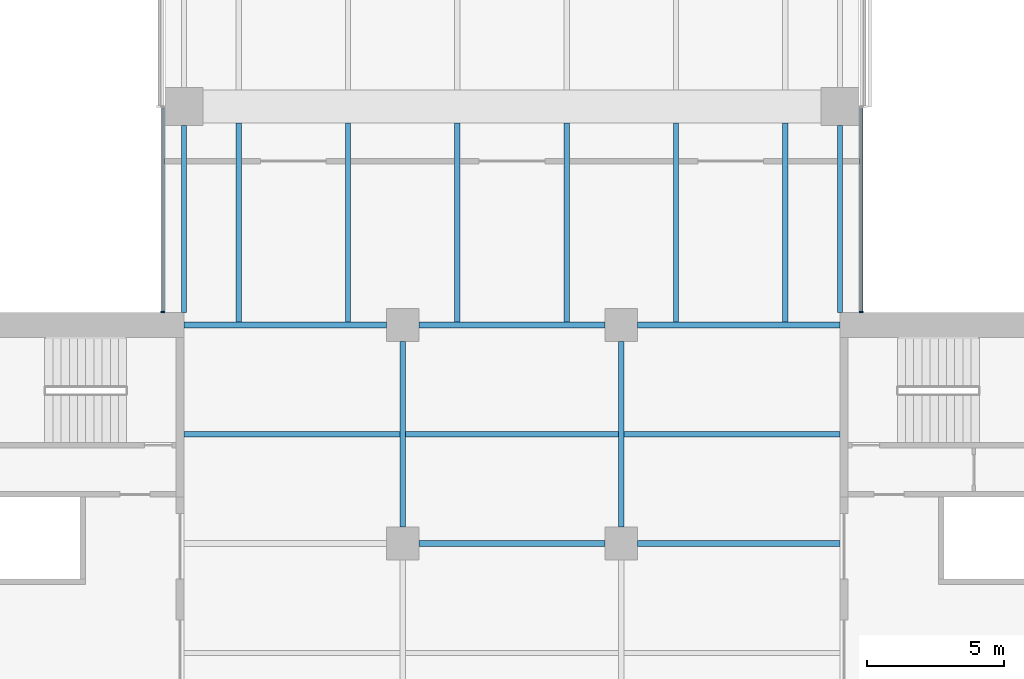
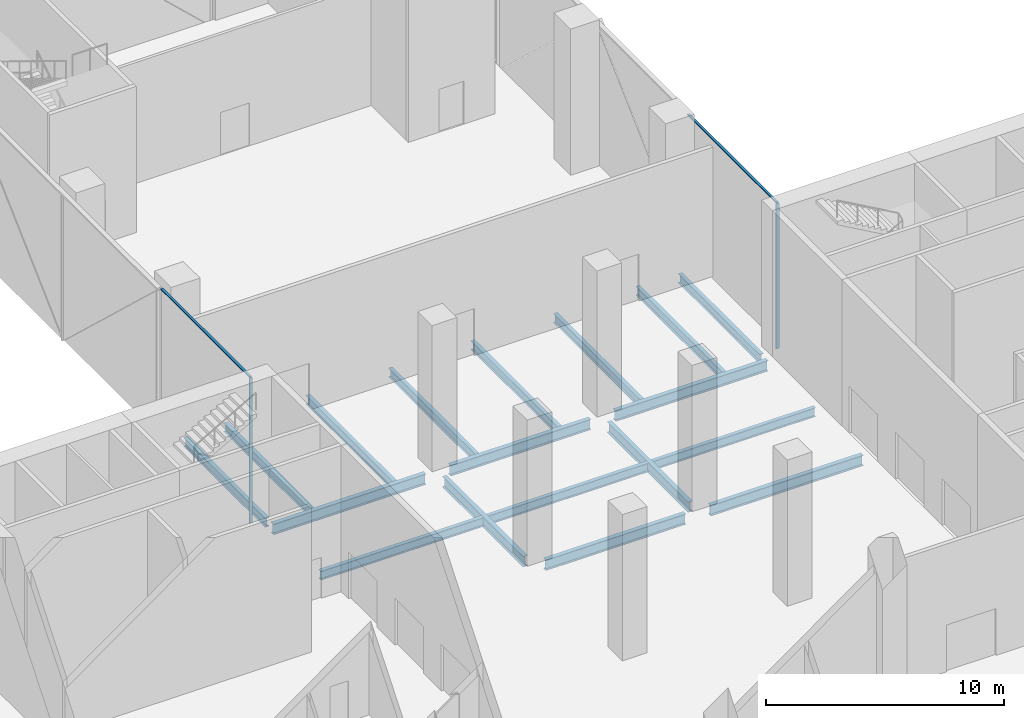
# One storey, part 6 of 25: 18 beams, 4 members, 2 elements without a shape of their own.
"""IFC4 building model written with IfcOpenShell, lengths in metres."""

from ifc_helpers import new_model, si_unit, direction, frame, origin, origin_2d, place, context, subcontext, project, spatial, rectangle, i_section, extrude, material, material_profile, profile_set, type_object, element, aggregate, save


model = new_model("IFC4")

# Units and contexts
model_context = context("Model", 3, precision=1e-05, world=origin(), true_north=direction((0.0, 1.0)))
body_context = subcontext(model_context, "Body", "Model", "MODEL_VIEW")
ifc_project = project(units=[si_unit("LENGTHUNIT", "METRE"), si_unit("AREAUNIT", "SQUARE_METRE"), si_unit("VOLUMEUNIT", "CUBIC_METRE"), si_unit("PLANEANGLEUNIT", "RADIAN"), si_unit("MASSUNIT", "GRAM", prefix="KILO")], contexts=[model_context])

# Site, building, storey
site_placement = place(None, origin())
site = spatial("IfcSite", under=ifc_project, at=site_placement, CompositionType="ELEMENT")
building_placement = place(site_placement, origin())
building = spatial("IfcBuilding", under=site, at=building_placement, Name="Crosswind Convention Tower", CompositionType="ELEMENT")
storey_placement = place(building_placement, frame((0.0, 0.0, 34.0)))
storey = spatial("IfcBuildingStorey", under=building, at=storey_placement, Name="L04", CompositionType="ELEMENT", Elevation=34.0)

# Beams
ifc_material_1 = material(Name="Steel S355", Category="steel")
ifc_material_profile_1 = material_profile(ifc_material_1, i_section(OverallWidth=0.19287109375, OverallDepth=0.467529296875, WebThickness=0.011474609375, FlangeThickness=0.01953125, FilletRadius=0.01025390625, at=origin_2d()), Name="UB 457x191x98")
ifc_profile_set_1 = profile_set([ifc_material_profile_1], Name="Steel S355")
beam_type_1 = type_object("IfcBeamType", Name="Edge beam UB 457x191x98", PredefinedType="SPANDREL", material=ifc_profile_set_1)
for number, where, z_axis, x_axis, name in (
    (1, (113.0, 112.449951171875, -0.6337890625), (0.0, 1.0, 0.0), (-1.0, 0.0, 0.0), "B20 L04 edge beam 9"),
    (2, (137.0, 112.449951171875, -0.6337890625), (0.0, 1.0, 0.0), (-1.0, 0.0, 0.0), "B20 L04 edge beam 17"),
):
    element("IfcBeam", number, at=place(storey_placement, frame(where, z_axis=z_axis, x_axis=x_axis)), inside=storey, type_object=beam_type_1, Name=name, PredefinedType="SPANDREL", context=body_context, shape_type="SweptSolid", body=[
        extrude(i_section(OverallWidth=0.19287109375, OverallDepth=0.467529296875, WebThickness=0.011474609375, FlangeThickness=0.01953125, FilletRadius=0.01025390625, at=origin_2d()), origin(), (0.0, 0.0, 1.0), 6.85009765625),
    ])
ifc_material_profile_2 = material_profile(ifc_material_1, i_section(OverallWidth=0.2119140625, OverallDepth=0.544677734375, WebThickness=0.0126953125, FlangeThickness=0.021240234375, FilletRadius=0.0126953125, at=origin_2d()), Name="UB 533x210x122")
ifc_profile_set_2 = profile_set([ifc_material_profile_2], Name="Steel S355")
beam_type_2 = type_object("IfcBeamType", Name="Girder UB 533x210x122", PredefinedType="BEAM", material=ifc_profile_set_2)
for number, where, z_axis, x_axis, name in (
    (3, (121.0, 104.60009765625, -0.67236328125), (0.0, 1.0, 0.0), (-1.0, 0.0, 0.0), "B6 L04 girder 3"),
    (4, (121.60009765625, 104.0, -0.67236328125), (1.0, 0.0, 0.0), (0.0, 1.0, 0.0), "B6 L04 girder 6"),
    (5, (121.60009765625, 112.0, -0.67236328125), (1.0, 0.0, 0.0), (0.0, 1.0, 0.0), "B6 L04 girder 7"),
    (6, (129.0, 104.60009765625, -0.67236328125), (0.0, 1.0, 0.0), (-1.0, 0.0, 0.0), "B6 L04 girder 10"),
):
    element("IfcBeam", number, at=place(storey_placement, frame(where, z_axis=z_axis, x_axis=x_axis)), inside=storey, type_object=beam_type_2, Name=name, PredefinedType="BEAM", context=body_context, shape_type="SweptSolid", body=[
        extrude(i_section(OverallWidth=0.2119140625, OverallDepth=0.544677734375, WebThickness=0.0126953125, FlangeThickness=0.021240234375, FilletRadius=0.0126953125, at=origin_2d()), origin(), (0.0, 0.0, 1.0), 6.7998046875),
    ])
ifc_material_profile_3 = material_profile(ifc_material_1, i_section(OverallWidth=0.214111328125, OverallDepth=0.549072265625, WebThickness=0.0146484375, FlangeThickness=0.023681640625, FilletRadius=0.0126953125, at=origin_2d()), Name="UB 533x210x138")
ifc_profile_set_3 = profile_set([ifc_material_profile_3], Name="Steel S355")
beam_type_3 = type_object("IfcBeamType", Name="Girder at core wall UB 533x210x138", PredefinedType="BEAM", material=ifc_profile_set_3)
for number, where, z_axis, x_axis, name in (
    (7, (113.0, 112.0, -0.674560546875), (1.0, 0.0, 0.0), (0.0, 1.0, 0.0), "B27 L04 girder at core wall 4"),
    (8, (129.60009765625, 104.0, -0.674560546875), (1.0, 0.0, 0.0), (0.0, 1.0, 0.0), "B27 L04 girder at core wall 7"),
    (9, (129.60009765625, 112.0, -0.674560546875), (1.0, 0.0, 0.0), (0.0, 1.0, 0.0), "B27 L04 girder at core wall 8"),
):
    element("IfcBeam", number, at=place(storey_placement, frame(where, z_axis=z_axis, x_axis=x_axis)), inside=storey, type_object=beam_type_3, Name=name, PredefinedType="BEAM", context=body_context, shape_type="SweptSolid", body=[
        extrude(i_section(OverallWidth=0.214111328125, OverallDepth=0.549072265625, WebThickness=0.0146484375, FlangeThickness=0.023681640625, FilletRadius=0.0126953125, at=origin_2d()), origin(), (0.0, 0.0, 1.0), 7.39990234375),
    ])

# Curtain wall, member
ifc_material_2 = material(Name="Aluminium unitised curtain wall", Category="aluminium")
curtain_wall_type = type_object("IfcCurtainWallType", Name="CORE END SLOT WALL 160", PredefinedType="USERDEFINED", material=ifc_material_2)
curtain_wall_1_placement = place(storey_placement, origin())
curtain_wall_1 = element("IfcCurtainWall", 10, at=curtain_wall_1_placement, inside=storey, type_object=curtain_wall_type, Name="CW6 L04 N-E.1-1 slot", ObjectType="UNITISED", PredefinedType="USERDEFINED")
ifc_material_3 = material(Name="Aluminium mullion", Category="aluminium")
ifc_material_profile_4 = material_profile(ifc_material_3, rectangle(XDim=0.159912109375, YDim=0.050048828125, at=origin_2d()), Name="AL 160X50")
ifc_profile_set_4 = profile_set([ifc_material_profile_4], Name="Aluminium mullion")
member_type_1 = type_object("IfcMemberType", Name="MULLION 50X160", PredefinedType="MULLION", material=ifc_profile_set_4)
member_1_placement = place(storey_placement, frame((137.780029296875, 112.47509765625, -0.39990234375), z_axis=(0.0, 0.0, 1.0), x_axis=(1.0, 0.0, 0.0)))
member_1 = element("IfcMember", 11, at=member_1_placement, type_object=member_type_1, Name="CW6 mullion 1", PredefinedType="MULLION", context=body_context, shape_type="SweptSolid", body=[
    extrude(rectangle(XDim=0.159912109375, YDim=0.050048828125, at=origin_2d()), origin(), (0.0, 0.0, 1.0), 7.449951171875),
])

curtain_wall_2_placement = place(storey_placement, origin())
curtain_wall_2 = element("IfcCurtainWall", 12, at=curtain_wall_2_placement, inside=storey, type_object=curtain_wall_type, Name="CW6 L04 N-W.1-4 slot", ObjectType="UNITISED", PredefinedType="USERDEFINED")
member_2_placement = place(storey_placement, frame((112.219970703125, 112.47509765625, -0.39990234375), z_axis=(0.0, 0.0, 1.0), x_axis=(-1.0, 0.0, 0.0)))
member_2 = element("IfcMember", 13, at=member_2_placement, type_object=member_type_1, Name="CW6 mullion 2", PredefinedType="MULLION", context=body_context, shape_type="SweptSolid", body=[
    extrude(rectangle(XDim=0.159912109375, YDim=0.050048828125, at=origin_2d()), origin(), (0.0, 0.0, 1.0), 7.449951171875),
])

# Beams
ifc_material_profile_5 = material_profile(ifc_material_1, i_section(OverallWidth=0.19140625, OverallDepth=0.460205078125, WebThickness=0.010009765625, FlangeThickness=0.01611328125, FilletRadius=0.01025390625, at=origin_2d()), Name="UB 457x191x82")
ifc_profile_set_5 = profile_set([ifc_material_profile_5], Name="Steel S355")
beam_type_4 = type_object("IfcBeamType", Name="Secondary beam UB 457x191x82", PredefinedType="JOIST", material=ifc_profile_set_5)
beam_1_placement = place(storey_placement, frame((113.0, 108.0, -0.630126953125), z_axis=(1.0, 0.0, 0.0), x_axis=(0.0, 1.0, 0.0)))
element("IfcBeam", 14, at=beam_1_placement, inside=storey, type_object=beam_type_4, Name="B13 L04 secondary beam 13", PredefinedType="JOIST", context=body_context, shape_type="SweptSolid", body=[
    extrude(i_section(OverallWidth=0.19140625, OverallDepth=0.460205078125, WebThickness=0.010009765625, FlangeThickness=0.01611328125, FilletRadius=0.01025390625, at=origin_2d()), origin(), (0.0, 0.0, 1.0), 7.89404296875),
])
for number, where, z_axis, x_axis, name in (
    (15, (115.0, 112.10693359375, -0.630126953125), (0.0, 1.0, 0.0), (-1.0, 0.0, 0.0), "B13 L04 secondary beam 17"),
    (16, (119.0, 112.10693359375, -0.630126953125), (0.0, 1.0, 0.0), (-1.0, 0.0, 0.0), "B13 L04 secondary beam 24"),
):
    element("IfcBeam", number, at=place(storey_placement, frame(where, z_axis=z_axis, x_axis=x_axis)), inside=storey, type_object=beam_type_4, Name=name, PredefinedType="JOIST", context=body_context, shape_type="SweptSolid", body=[
        extrude(i_section(OverallWidth=0.19140625, OverallDepth=0.460205078125, WebThickness=0.010009765625, FlangeThickness=0.01611328125, FilletRadius=0.01025390625, at=origin_2d()), origin(), (0.0, 0.0, 1.0), 7.29296875),
    ])
beam_2_placement = place(storey_placement, frame((121.10595703125, 108.0, -0.630126953125), z_axis=(1.0, 0.0, 0.0), x_axis=(0.0, 1.0, 0.0)))
element("IfcBeam", 17, at=beam_2_placement, inside=storey, type_object=beam_type_4, Name="B13 L04 secondary beam 30", PredefinedType="JOIST", context=body_context, shape_type="SweptSolid", body=[
    extrude(i_section(OverallWidth=0.19140625, OverallDepth=0.460205078125, WebThickness=0.010009765625, FlangeThickness=0.01611328125, FilletRadius=0.01025390625, at=origin_2d()), origin(), (0.0, 0.0, 1.0), 7.7880859375),
])
for number, where, z_axis, x_axis, name in (
    (18, (123.0, 112.10595703125, -0.630126953125), (0.0, 1.0, 0.0), (-1.0, 0.0, 0.0), "B13 L04 secondary beam 35"),
    (19, (127.0, 112.10595703125, -0.630126953125), (0.0, 1.0, 0.0), (-1.0, 0.0, 0.0), "B13 L04 secondary beam 43"),
):
    element("IfcBeam", number, at=place(storey_placement, frame(where, z_axis=z_axis, x_axis=x_axis)), inside=storey, type_object=beam_type_4, Name=name, PredefinedType="JOIST", context=body_context, shape_type="SweptSolid", body=[
        extrude(i_section(OverallWidth=0.19140625, OverallDepth=0.460205078125, WebThickness=0.010009765625, FlangeThickness=0.01611328125, FilletRadius=0.01025390625, at=origin_2d()), origin(), (0.0, 0.0, 1.0), 7.2939453125),
    ])
beam_3_placement = place(storey_placement, frame((129.10595703125, 108.0, -0.630126953125), z_axis=(1.0, 0.0, 0.0), x_axis=(0.0, 1.0, 0.0)))
element("IfcBeam", 20, at=beam_3_placement, inside=storey, type_object=beam_type_4, Name="B13 L04 secondary beam 49", PredefinedType="JOIST", context=body_context, shape_type="SweptSolid", body=[
    extrude(i_section(OverallWidth=0.19140625, OverallDepth=0.460205078125, WebThickness=0.010009765625, FlangeThickness=0.01611328125, FilletRadius=0.01025390625, at=origin_2d()), origin(), (0.0, 0.0, 1.0), 7.89404296875),
])
for number, where, z_axis, x_axis, name in (
    (21, (131.0, 112.10693359375, -0.630126953125), (0.0, 1.0, 0.0), (-1.0, 0.0, 0.0), "B13 L04 secondary beam 54"),
    (22, (135.0, 112.10693359375, -0.630126953125), (0.0, 1.0, 0.0), (-1.0, 0.0, 0.0), "B13 L04 secondary beam 61"),
):
    element("IfcBeam", number, at=place(storey_placement, frame(where, z_axis=z_axis, x_axis=x_axis)), inside=storey, type_object=beam_type_4, Name=name, PredefinedType="JOIST", context=body_context, shape_type="SweptSolid", body=[
        extrude(i_section(OverallWidth=0.19140625, OverallDepth=0.460205078125, WebThickness=0.010009765625, FlangeThickness=0.01611328125, FilletRadius=0.01025390625, at=origin_2d()), origin(), (0.0, 0.0, 1.0), 7.29296875),
    ])

# Member
ifc_material_4 = material(Name="Aluminium transom", Category="aluminium")
ifc_material_profile_6 = material_profile(ifc_material_4, rectangle(XDim=0.1201171875, YDim=0.050048828125, at=origin_2d()), Name="AL 120X50")
ifc_profile_set_6 = profile_set([ifc_material_profile_6], Name="Aluminium transom")
member_type_2 = type_object("IfcMemberType", Name="TRANSOM 50X120", PredefinedType="USERDEFINED", material=ifc_profile_set_6)
member_3_placement = place(storey_placement, frame((137.780029296875, 112.5, 7.074951171875), z_axis=(0.0, 1.0, 0.0), x_axis=(-1.0, 0.0, 0.0)))
member_3 = element("IfcMember", 23, at=member_3_placement, type_object=member_type_2, Name="CW6 transom", ObjectType="TRANSOM", PredefinedType="USERDEFINED", context=body_context, shape_type="SweptSolid", body=[
    extrude(rectangle(XDim=0.1201171875, YDim=0.050048828125, at=origin_2d()), origin(), (0.0, 0.0, 1.0), 7.449951171875),
])

aggregate(curtain_wall_1, [member_1, member_3])

member_4_placement = place(storey_placement, frame((112.219970703125, 119.949951171875, 7.074951171875), z_axis=(0.0, -1.0, 0.0), x_axis=(1.0, 0.0, 0.0)))
member_4 = element("IfcMember", 24, at=member_4_placement, type_object=member_type_2, Name="CW6 transom", ObjectType="TRANSOM", PredefinedType="USERDEFINED", context=body_context, shape_type="SweptSolid", body=[
    extrude(rectangle(XDim=0.1201171875, YDim=0.050048828125, at=origin_2d()), origin(), (0.0, 0.0, 1.0), 7.449951171875),
])

aggregate(curtain_wall_2, [member_2, member_4])

save(model, "model.ifc")
